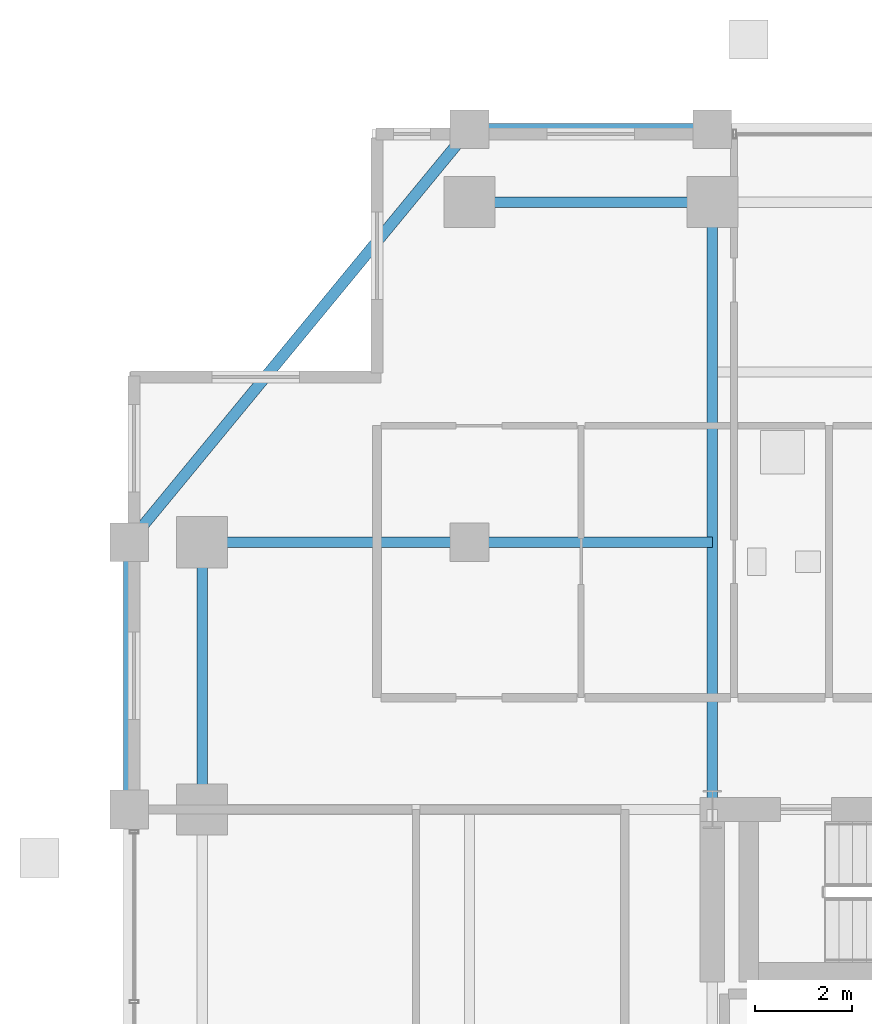
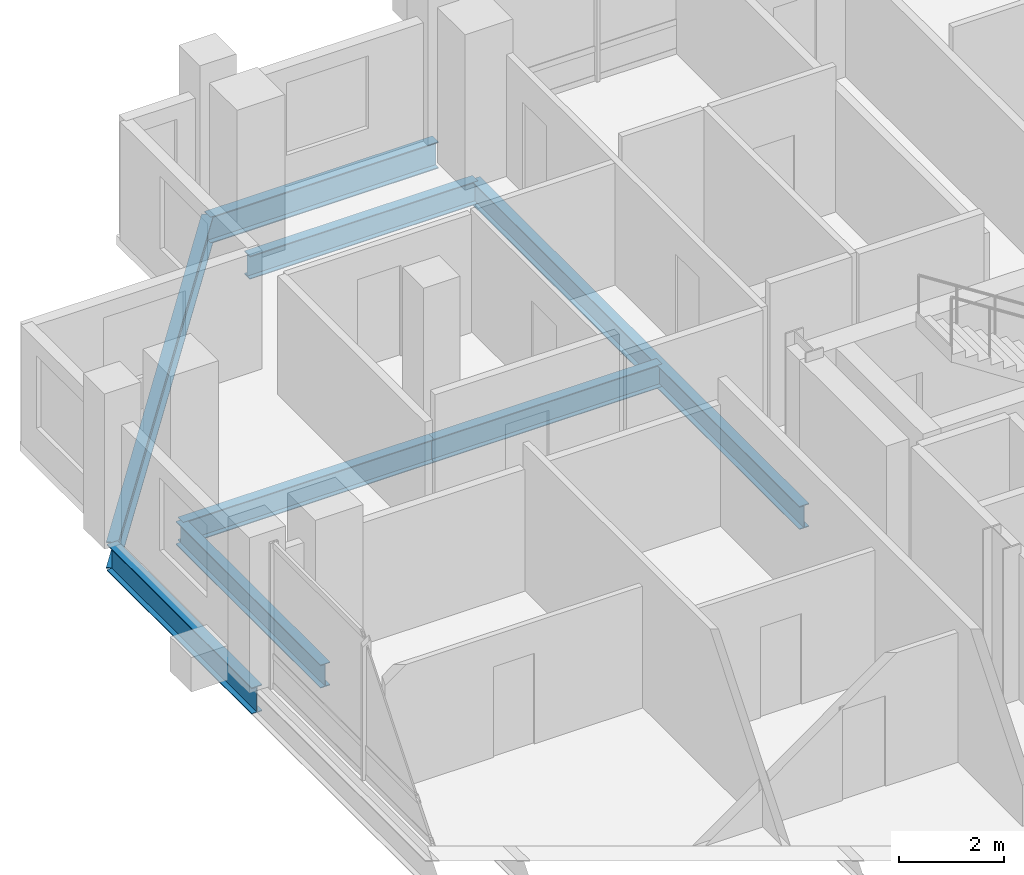
# One storey, part 12 of 24: 8 beams.
"""IFC4 building model written with IfcOpenShell, lengths in metres."""

from ifc_helpers import new_model, si_unit, direction, frame, origin, origin_2d, place, context, subcontext, project, spatial, i_section, extrude, material, material_profile, profile_set, type_object, element, save


model = new_model("IFC4")

# Units and contexts
model_context = context("Model", 3, precision=1e-05, world=origin(), true_north=direction((0.0, 1.0)))
body_context = subcontext(model_context, "Body", "Model", "MODEL_VIEW")
ifc_project = project(units=[si_unit("LENGTHUNIT", "METRE"), si_unit("AREAUNIT", "SQUARE_METRE"), si_unit("VOLUMEUNIT", "CUBIC_METRE"), si_unit("PLANEANGLEUNIT", "RADIAN"), si_unit("MASSUNIT", "GRAM", prefix="KILO")], contexts=[model_context])

# Site, building, storey
site_placement = place(None, origin())
site = spatial("IfcSite", under=ifc_project, at=site_placement, CompositionType="ELEMENT")
building_placement = place(site_placement, origin())
building = spatial("IfcBuilding", under=site, at=building_placement, Name="Barlavira Tower and Art Museum", CompositionType="ELEMENT")
storey_placement = place(building_placement, frame((0.0, 0.0, 190.800048828125)))
storey = spatial("IfcBuildingStorey", under=building, at=storey_placement, Name="L49", CompositionType="ELEMENT", Elevation=190.800048828125)

# Beams
ifc_material = material(Name="Steel S355", Category="steel")
ifc_material_profile_1 = material_profile(ifc_material, i_section(OverallWidth=0.22998046875, OverallDepth=0.616943359375, WebThickness=0.01318359375, FlangeThickness=0.022216796875, at=origin_2d()), Name="W610x140.0")
ifc_profile_set_1 = profile_set([ifc_material_profile_1], Name="Steel S355")
beam_type_1 = type_object("IfcBeamType", Name="Upper Shaft Spandrel Edge Beam W610x140 Steel S355", PredefinedType="SPANDREL", material=ifc_profile_set_1)
beam_1_placement = place(storey_placement, frame((-11.5, 21.5, -0.528564453125), z_axis=(1.0, 0.0, 0.0), x_axis=(0.0, 1.0, 0.0)))
element("IfcBeam", 1, at=beam_1_placement, inside=storey, type_object=beam_type_1, Name="L49 Spandrel 11", PredefinedType="SPANDREL", context=body_context, shape_type="SweptSolid", body=[
    extrude(i_section(OverallWidth=0.22998046875, OverallDepth=0.616943359375, WebThickness=0.01318359375, FlangeThickness=0.022216796875, at=origin_2d()), origin(), (0.0, 0.0, 1.0), 5.0),
])
beam_2_placement = place(storey_placement, frame((-11.5, 21.5, -0.528564453125), z_axis=(-0.635707252861, -0.771930235617, 0.0), x_axis=(0.771930235617, -0.635707252861, 0.0)))
element("IfcBeam", 2, at=beam_2_placement, inside=storey, type_object=beam_type_1, Name="L49 Spandrel 12", PredefinedType="SPANDREL", context=body_context, shape_type="SweptSolid", body=[
    extrude(i_section(OverallWidth=0.22998046875, OverallDepth=0.616943359375, WebThickness=0.01318359375, FlangeThickness=0.022216796875, at=origin_2d()), origin(), (0.0, 0.0, 1.0), 11.011474609375),
])
beam_3_placement = place(storey_placement, frame((-18.5, 7.5, -0.528564453125), z_axis=(0.0, 1.0, 0.0), x_axis=(-1.0, 0.0, 0.0)))
element("IfcBeam", 3, at=beam_3_placement, inside=storey, type_object=beam_type_1, Name="L49 Spandrel 13", PredefinedType="SPANDREL", context=body_context, shape_type="SweptSolid", body=[
    extrude(i_section(OverallWidth=0.22998046875, OverallDepth=0.616943359375, WebThickness=0.01318359375, FlangeThickness=0.022216796875, at=origin_2d()), origin(), (0.0, 0.0, 1.0), 5.5),
])
ifc_material_profile_2 = material_profile(ifc_material, i_section(OverallWidth=0.2109375, OverallDepth=0.5390625, WebThickness=0.01171875, FlangeThickness=0.018798828125, at=origin_2d()), Name="W530x109.0")
ifc_profile_set_2 = profile_set([ifc_material_profile_2], Name="Steel S355")
beam_type_2 = type_object("IfcBeamType", Name="Zone 3-4 Primary Floor Girder W530x109 Steel S355", PredefinedType="BEAM", material=ifc_profile_set_2)
beam_4_placement = place(storey_placement, frame((-11.5, 20.0, -0.489501953125), z_axis=(1.0, 0.0, 0.0), x_axis=(0.0, 1.0, 0.0)))
element("IfcBeam", 4, at=beam_4_placement, inside=storey, type_object=beam_type_2, Name="L49 Girder M-N1", PredefinedType="BEAM", context=body_context, shape_type="SweptSolid", body=[
    extrude(i_section(OverallWidth=0.2109375, OverallDepth=0.5390625, WebThickness=0.01171875, FlangeThickness=0.018798828125, at=origin_2d()), origin(), (0.0, 0.0, 1.0), 5.0),
])
beam_5_placement = place(storey_placement, frame((-17.0, 7.5, -0.489501953125), z_axis=(0.0, 1.0, 0.0), x_axis=(-1.0, 0.0, 0.0)))
element("IfcBeam", 5, at=beam_5_placement, inside=storey, type_object=beam_type_2, Name="L49 Girder M-W3", PredefinedType="BEAM", context=body_context, shape_type="SweptSolid", body=[
    extrude(i_section(OverallWidth=0.2109375, OverallDepth=0.5390625, WebThickness=0.01171875, FlangeThickness=0.018798828125, at=origin_2d()), origin(), (0.0, 0.0, 1.0), 5.5),
])
beam_6_placement = place(storey_placement, frame((-6.5, 7.5, -0.489501953125), z_axis=(0.0, 1.0, 0.0), x_axis=(-1.0, 0.0, 0.0)))
element("IfcBeam", 6, at=beam_6_placement, inside=storey, type_object=beam_type_2, Name="L49 Girder R-N1", PredefinedType="BEAM", context=body_context, shape_type="SweptSolid", body=[
    extrude(i_section(OverallWidth=0.2109375, OverallDepth=0.5390625, WebThickness=0.01171875, FlangeThickness=0.018798828125, at=origin_2d()), origin(), (0.0, 0.0, 1.0), 12.5),
])
beam_7_placement = place(storey_placement, frame((-17.0, 13.0, -0.489501953125), z_axis=(1.0, 0.0, 0.0), x_axis=(0.0, 1.0, 0.0)))
element("IfcBeam", 7, at=beam_7_placement, inside=storey, type_object=beam_type_2, Name="L49 Girder I-N1", PredefinedType="BEAM", context=body_context, shape_type="SweptSolid", body=[
    extrude(i_section(OverallWidth=0.2109375, OverallDepth=0.5390625, WebThickness=0.01171875, FlangeThickness=0.018798828125, at=origin_2d()), origin(), (0.0, 0.0, 1.0), 5.5),
])
beam_8_placement = place(storey_placement, frame((-11.5, 13.0, -0.489501953125), z_axis=(1.0, 0.0, 0.0), x_axis=(0.0, 1.0, 0.0)))
element("IfcBeam", 8, at=beam_8_placement, inside=storey, type_object=beam_type_2, Name="L49 Girder I-N2", PredefinedType="BEAM", context=body_context, shape_type="SweptSolid", body=[
    extrude(i_section(OverallWidth=0.2109375, OverallDepth=0.5390625, WebThickness=0.01171875, FlangeThickness=0.018798828125, at=origin_2d()), origin(), (0.0, 0.0, 1.0), 5.0),
])

save(model, "model.ifc")
